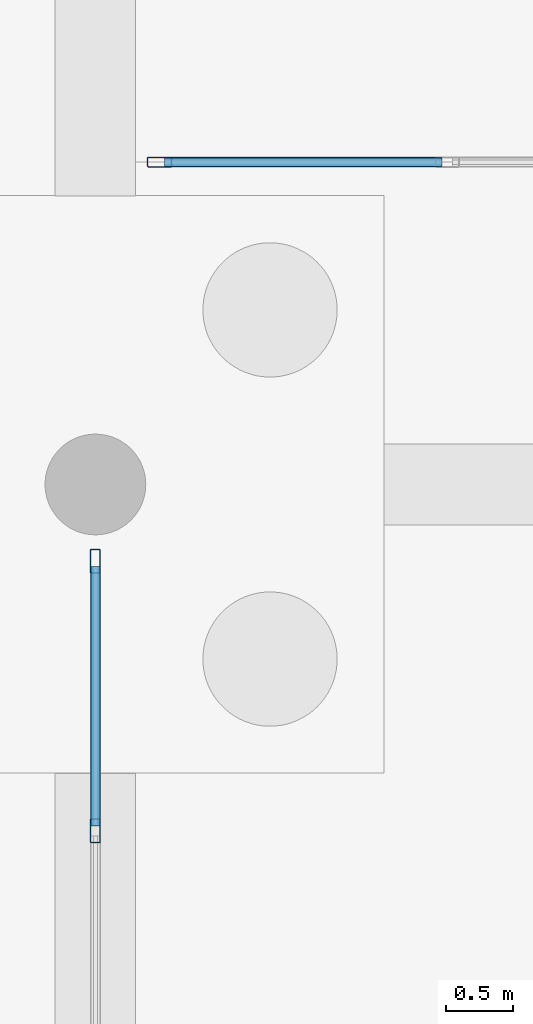
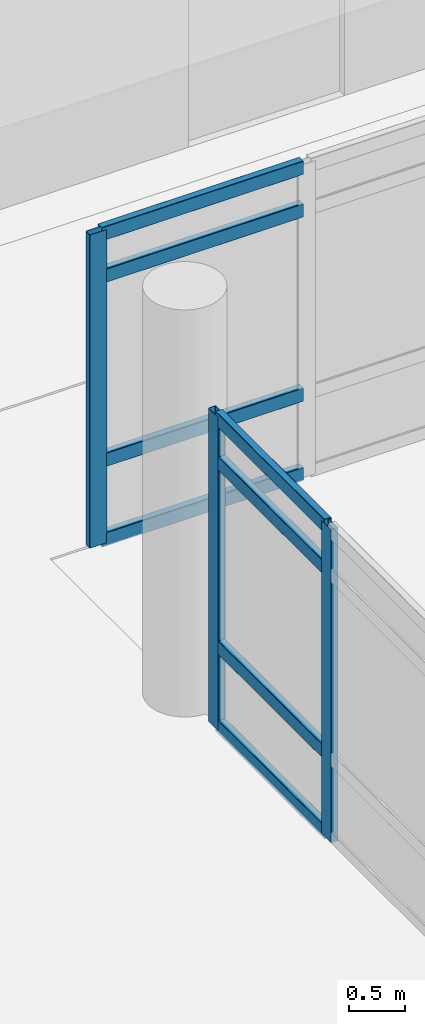
# One storey, part 81 of 196: 11 members, 2 elements without a shape of their own.
"""IFC4 building model written with IfcOpenShell, lengths in metres."""

from ifc_helpers import new_model, si_unit, direction, frame, origin, origin_2d, place, context, subcontext, project, spatial, hollow_rectangle, extrude, material, layer, layer_set, material_profile, profile_set, type_object, element, aggregate, save


model = new_model("IFC4")

# Units and contexts
model_context = context("Model", 3, precision=1e-05, world=origin(), true_north=direction((0.0, 1.0)))
body_context = subcontext(model_context, "Body", "Model", "MODEL_VIEW")
ifc_project = project(units=[si_unit("LENGTHUNIT", "METRE"), si_unit("AREAUNIT", "SQUARE_METRE"), si_unit("VOLUMEUNIT", "CUBIC_METRE"), si_unit("PLANEANGLEUNIT", "RADIAN"), si_unit("MASSUNIT", "GRAM", prefix="KILO")], contexts=[model_context])

# Site, building, storey
site_placement = place(None, origin())
site = spatial("IfcSite", under=ifc_project, at=site_placement, CompositionType="ELEMENT")
building_placement = place(site_placement, origin())
building = spatial("IfcBuilding", under=site, at=building_placement, Name="Asteropetra Specialist Clinic", CompositionType="ELEMENT")
storey_placement = place(building_placement, origin())
storey = spatial("IfcBuildingStorey", under=building, at=storey_placement, Name="L00", CompositionType="ELEMENT", Elevation=0.0)

# Curtain wall, member
ifc_material_1 = material(Name="Aluminium and low-E glass", Category="aluminium")
ifc_layer_1 = layer(ifc_material_1, 0.135009765625)
ifc_layer_set_1 = layer_set([ifc_layer_1], Name="Aluminium and low-E glass")
curtain_wall_type_1 = type_object("IfcCurtainWallType", Name="CW-SYS-09", PredefinedType="USERDEFINED", material=ifc_layer_set_1)
curtain_wall_1_placement = place(storey_placement, origin())
curtain_wall_1 = element("IfcCurtainWall", 1, at=curtain_wall_1_placement, inside=storey, type_object=curtain_wall_type_1, Name="Curtain Wall CW-066", ObjectType="STICK GLAZED COLONNADE", PredefinedType="USERDEFINED")
ifc_material_2 = material(Name="Aluminium 6063-T6", Category="aluminium")
ifc_material_profile_1 = material_profile(ifc_material_2, hollow_rectangle(XDim=0.074951171875, YDim=0.179931640625, WallThickness=0.00390625, InnerFilletRadius=0.00390625, OuterFilletRadius=0.008056640625, at=origin_2d()), Name="MUL 180x75x4.0")
ifc_profile_set_1 = profile_set([ifc_material_profile_1], Name="Aluminium 6063-T6")
member_type_1 = type_object("IfcMemberType", Name="CWM-180x75", PredefinedType="MULLION", material=ifc_profile_set_1)
member_1_placement = place(storey_placement, frame((125.277587890625, 36.0, 0.0), z_axis=(0.0, 0.0, 1.0), x_axis=(0.0, -1.0, 0.0)))
member_1 = element("IfcMember", 2, at=member_1_placement, type_object=member_type_1, Name="CW-066 mullion 5", PredefinedType="MULLION", context=body_context, shape_type="SweptSolid", body=[
    extrude(hollow_rectangle(XDim=0.074951171875, YDim=0.179931640625, WallThickness=0.00390625, InnerFilletRadius=0.00390625, OuterFilletRadius=0.008056640625, at=origin_2d()), origin(), (0.0, 0.0, 1.0), 3.39990234375),
])

# Curtain wall, members
ifc_material_3 = material(Name="Aluminium and low-E glass", Category="aluminium")
ifc_layer_2 = layer(ifc_material_3, 0.14990234375)
ifc_layer_set_2 = layer_set([ifc_layer_2], Name="Aluminium and low-E glass")
curtain_wall_type_2 = type_object("IfcCurtainWallType", Name="CW-SYS-11", PredefinedType="USERDEFINED", material=ifc_layer_set_2)
curtain_wall_2_placement = place(storey_placement, origin())
curtain_wall_2 = element("IfcCurtainWall", 3, at=curtain_wall_2_placement, inside=storey, type_object=curtain_wall_type_2, Name="Curtain Wall CW-069", ObjectType="STICK GLAZED COLONNADE", PredefinedType="USERDEFINED")
member_2_placement = place(storey_placement, frame((124.800048828125, 33.027587890625, 0.0), z_axis=(0.0, 0.0, 1.0), x_axis=(1.0, 0.0, 0.0)))
member_2 = element("IfcMember", 4, at=member_2_placement, type_object=member_type_1, Name="CW-069 mullion 1", PredefinedType="MULLION", context=body_context, shape_type="SweptSolid", body=[
    extrude(hollow_rectangle(XDim=0.074951171875, YDim=0.179931640625, WallThickness=0.00390625, InnerFilletRadius=0.00390625, OuterFilletRadius=0.008056640625, at=origin_2d()), origin(), (0.0, 0.0, 1.0), 3.39990234375),
])
member_3_placement = place(storey_placement, frame((124.800048828125, 31.021728515625, 0.0), z_axis=(0.0, 0.0, 1.0), x_axis=(1.0, 0.0, 0.0)))
member_3 = element("IfcMember", 5, at=member_3_placement, type_object=member_type_1, Name="CW-069 mullion 2", PredefinedType="MULLION", context=body_context, shape_type="SweptSolid", body=[
    extrude(hollow_rectangle(XDim=0.074951171875, YDim=0.179931640625, WallThickness=0.00390625, InnerFilletRadius=0.00390625, OuterFilletRadius=0.008056640625, at=origin_2d()), origin(), (0.0, 0.0, 1.0), 3.39990234375),
])

# Member
ifc_material_4 = material(Name="Aluminium 6063-T6", Category="aluminium")
ifc_material_profile_2 = material_profile(ifc_material_4, hollow_rectangle(XDim=0.074951171875, YDim=0.14990234375, WallThickness=0.00390625, InnerFilletRadius=0.00390625, OuterFilletRadius=0.008056640625, at=origin_2d()), Name="TRN 150x75x4.0")
ifc_profile_set_2 = profile_set([ifc_material_profile_2], Name="Aluminium 6063-T6")
member_type_2 = type_object("IfcMemberType", Name="CWT-150x75", PredefinedType="USERDEFINED", material=ifc_profile_set_2)
member_4_placement = place(storey_placement, frame((127.382568359375, 36.0, 0.03759765625), z_axis=(-1.0, 0.0, 0.0), x_axis=(0.0, -1.0, 0.0)))
member_4 = element("IfcMember", 6, at=member_4_placement, type_object=member_type_2, Name="CW-066 transom 4.1", ObjectType="TRANSOM", PredefinedType="USERDEFINED", context=body_context, shape_type="SweptSolid", body=[
    extrude(hollow_rectangle(XDim=0.074951171875, YDim=0.14990234375, WallThickness=0.00390625, InnerFilletRadius=0.00390625, OuterFilletRadius=0.008056640625, at=origin_2d()), origin(), (0.0, 0.0, 1.0), 2.067626953125),
])

member_5_placement = place(storey_placement, frame((127.382568359375, 36.0, 0.89990234375), z_axis=(-1.0, 0.0, 0.0), x_axis=(0.0, -1.0, 0.0)))
member_5 = element("IfcMember", 7, at=member_5_placement, type_object=member_type_2, Name="CW-066 transom 4.2", ObjectType="TRANSOM", PredefinedType="USERDEFINED", context=body_context, shape_type="SweptSolid", body=[
    extrude(hollow_rectangle(XDim=0.074951171875, YDim=0.14990234375, WallThickness=0.00390625, InnerFilletRadius=0.00390625, OuterFilletRadius=0.008056640625, at=origin_2d()), origin(), (0.0, 0.0, 1.0), 2.067626953125),
])

member_6_placement = place(storey_placement, frame((127.382568359375, 36.0, 2.89990234375), z_axis=(-1.0, 0.0, 0.0), x_axis=(0.0, -1.0, 0.0)))
member_6 = element("IfcMember", 8, at=member_6_placement, type_object=member_type_2, Name="CW-066 transom 4.3", ObjectType="TRANSOM", PredefinedType="USERDEFINED", context=body_context, shape_type="SweptSolid", body=[
    extrude(hollow_rectangle(XDim=0.074951171875, YDim=0.14990234375, WallThickness=0.00390625, InnerFilletRadius=0.00390625, OuterFilletRadius=0.008056640625, at=origin_2d()), origin(), (0.0, 0.0, 1.0), 2.067626953125),
])

member_7_placement = place(storey_placement, frame((127.382568359375, 36.0, 3.362548828125), z_axis=(-1.0, 0.0, 0.0), x_axis=(0.0, -1.0, 0.0)))
member_7 = element("IfcMember", 9, at=member_7_placement, type_object=member_type_2, Name="CW-066 transom 4.4", ObjectType="TRANSOM", PredefinedType="USERDEFINED", context=body_context, shape_type="SweptSolid", body=[
    extrude(hollow_rectangle(XDim=0.074951171875, YDim=0.14990234375, WallThickness=0.00390625, InnerFilletRadius=0.00390625, OuterFilletRadius=0.008056640625, at=origin_2d()), origin(), (0.0, 0.0, 1.0), 2.067626953125),
])

aggregate(curtain_wall_1, [member_1, member_4, member_5, member_6, member_7])

member_8_placement = place(storey_placement, frame((124.800048828125, 32.989990234375, 0.03759765625), z_axis=(0.0, -1.0, 0.0), x_axis=(1.0, 0.0, 0.0)))
member_8 = element("IfcMember", 10, at=member_8_placement, type_object=member_type_2, Name="CW-069 transom 1.1", ObjectType="TRANSOM", PredefinedType="USERDEFINED", context=body_context, shape_type="SweptSolid", body=[
    extrude(hollow_rectangle(XDim=0.074951171875, YDim=0.14990234375, WallThickness=0.00390625, InnerFilletRadius=0.00390625, OuterFilletRadius=0.008056640625, at=origin_2d()), origin(), (0.0, 0.0, 1.0), 1.930908203125),
])

member_9_placement = place(storey_placement, frame((124.800048828125, 32.989990234375, 0.89990234375), z_axis=(0.0, -1.0, 0.0), x_axis=(1.0, 0.0, 0.0)))
member_9 = element("IfcMember", 11, at=member_9_placement, type_object=member_type_2, Name="CW-069 transom 1.2", ObjectType="TRANSOM", PredefinedType="USERDEFINED", context=body_context, shape_type="SweptSolid", body=[
    extrude(hollow_rectangle(XDim=0.074951171875, YDim=0.14990234375, WallThickness=0.00390625, InnerFilletRadius=0.00390625, OuterFilletRadius=0.008056640625, at=origin_2d()), origin(), (0.0, 0.0, 1.0), 1.930908203125),
])

member_10_placement = place(storey_placement, frame((124.800048828125, 32.989990234375, 2.89990234375), z_axis=(0.0, -1.0, 0.0), x_axis=(1.0, 0.0, 0.0)))
member_10 = element("IfcMember", 12, at=member_10_placement, type_object=member_type_2, Name="CW-069 transom 1.3", ObjectType="TRANSOM", PredefinedType="USERDEFINED", context=body_context, shape_type="SweptSolid", body=[
    extrude(hollow_rectangle(XDim=0.074951171875, YDim=0.14990234375, WallThickness=0.00390625, InnerFilletRadius=0.00390625, OuterFilletRadius=0.008056640625, at=origin_2d()), origin(), (0.0, 0.0, 1.0), 1.930908203125),
])

member_11_placement = place(storey_placement, frame((124.800048828125, 32.989990234375, 3.362548828125), z_axis=(0.0, -1.0, 0.0), x_axis=(1.0, 0.0, 0.0)))
member_11 = element("IfcMember", 13, at=member_11_placement, type_object=member_type_2, Name="CW-069 transom 1.4", ObjectType="TRANSOM", PredefinedType="USERDEFINED", context=body_context, shape_type="SweptSolid", body=[
    extrude(hollow_rectangle(XDim=0.074951171875, YDim=0.14990234375, WallThickness=0.00390625, InnerFilletRadius=0.00390625, OuterFilletRadius=0.008056640625, at=origin_2d()), origin(), (0.0, 0.0, 1.0), 1.930908203125),
])

aggregate(curtain_wall_2, [member_2, member_3, member_8, member_9, member_10, member_11])

save(model, "model.ifc")
